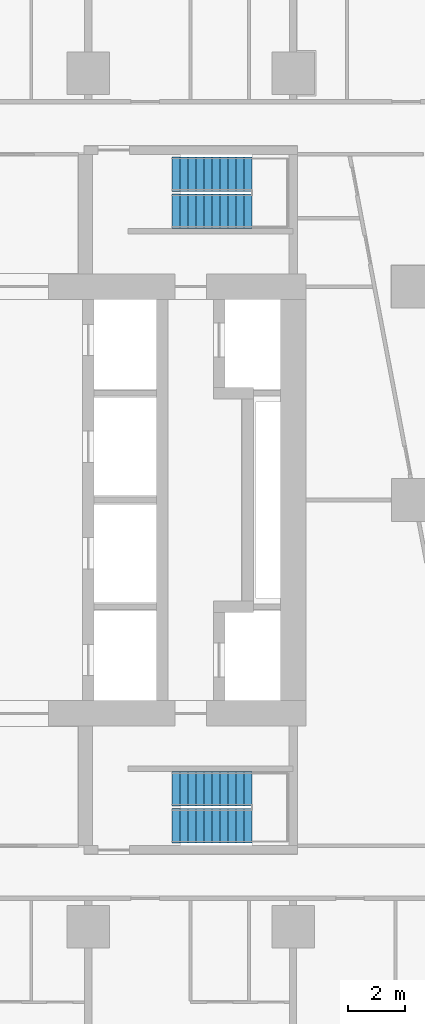
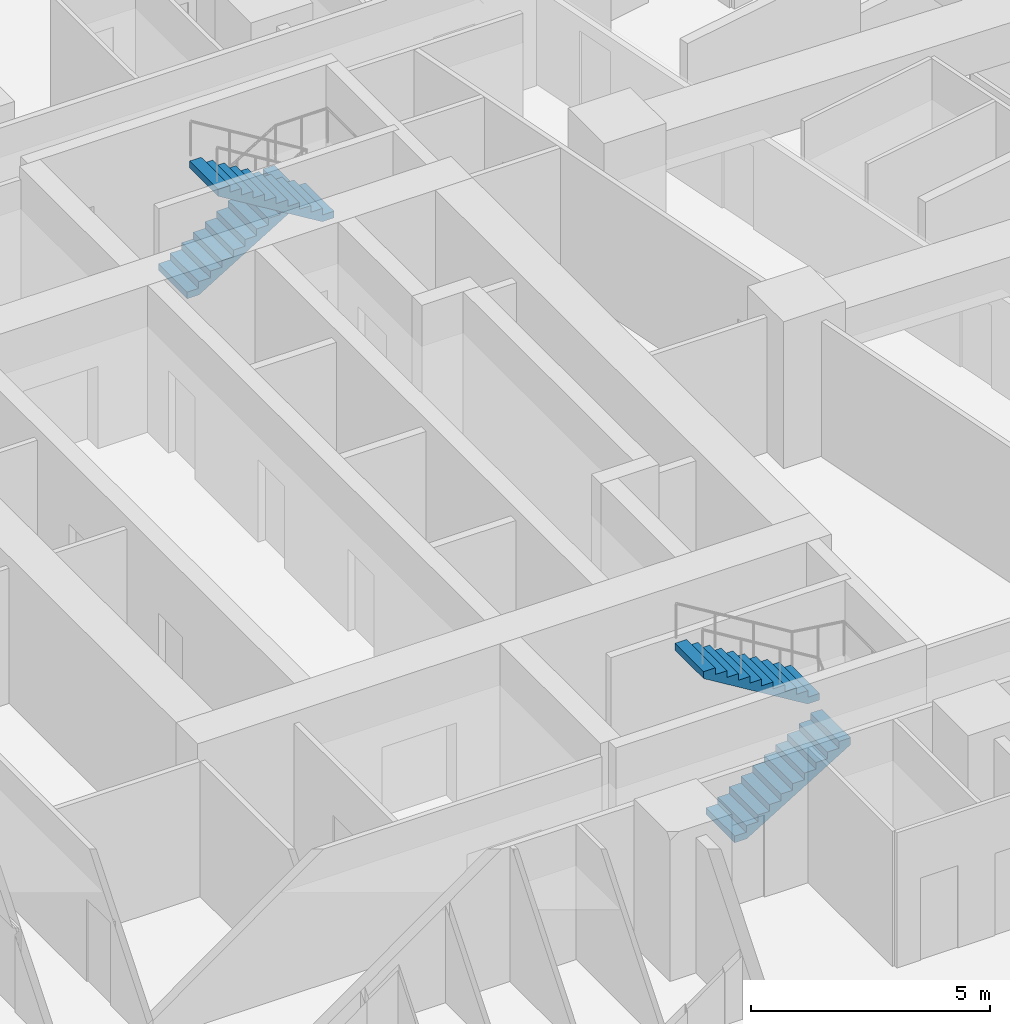
# One storey, part 13 of 15: 4 stair flights, 2 elements without a shape of their own.
"""IFC4 building model written with IfcOpenShell, lengths in metres."""

from ifc_helpers import new_model, si_unit, direction, frame, origin, place, context, subcontext, project, spatial, triangles, material, type_object, element, aggregate, save


model = new_model("IFC4")

# Units and contexts
model_context = context("Model", 3, precision=1e-05, world=origin(), true_north=direction((0.0, 1.0)))
body_context = subcontext(model_context, "Body", "Model", "MODEL_VIEW")
ifc_project = project(units=[si_unit("LENGTHUNIT", "METRE"), si_unit("AREAUNIT", "SQUARE_METRE"), si_unit("VOLUMEUNIT", "CUBIC_METRE"), si_unit("PLANEANGLEUNIT", "RADIAN"), si_unit("MASSUNIT", "GRAM", prefix="KILO")], contexts=[model_context])

# Site, building, storey
site_placement = place(None, origin())
site = spatial("IfcSite", under=ifc_project, at=site_placement, CompositionType="ELEMENT")
building_placement = place(site_placement, origin())
building = spatial("IfcBuilding", under=site, at=building_placement, Name="Sheger Commons Tower", CompositionType="ELEMENT")
storey_placement = place(building_placement, frame((0.0, 0.0, 184.550048828125)))
storey = spatial("IfcBuildingStorey", under=building, at=storey_placement, Name="L47", CompositionType="ELEMENT", Elevation=184.550048828125)

# Stair, stair flights
ifc_material_1 = material(Name="Concrete C35/45", Category="concrete")
stair_type = type_object("IfcStairType", Name="HALF-TURN STAIR 1200 RISE 3750", PredefinedType="HALF_TURN_STAIR", material=ifc_material_1)
stair_1_placement = place(storey_placement, origin())
stair_1 = element("IfcStair", 1, at=stair_1_placement, inside=storey, type_object=stair_type, Name="Stair S1 L47", PredefinedType="HALF_TURN_STAIR")
ifc_material_2 = material(Name="Concrete C35/45", Category="concrete")
stair_flight_type = type_object("IfcStairFlightType", Name="STAIR FLIGHT 1200 11 RISERS OF 170", PredefinedType="STRAIGHT", material=ifc_material_2)
stair_flight_1_placement = place(storey_placement, frame((24.550048828125, 11.050048828125, 0.0), z_axis=(0.0, 0.0, 1.0), x_axis=(1.0, 0.0, 0.0)))
stair_flight_1 = element("IfcStairFlight", 2, at=stair_flight_1_placement, type_object=stair_flight_type, Name="S1 flight 1", NumberOfRisers=11, NumberOfTreads=10, PredefinedType="STRAIGHT", RiserHeight=0.170454545, TreadLength=0.28, context=body_context, shape_type="Tessellation", body=[
    triangles([(0.0, 0.5999755859375, 0.0), (0.0, 0.5999755859375, 0.17041015625), (0.280029296875, 0.5999755859375, 0.17041015625), (0.280029296875, 0.5999755859375, 0.3408203125), (0.56005859375, 0.5999755859375, 0.3408203125), (0.56005859375, 0.5999755859375, 0.511474609375), (0.840087890625, 0.5999755859375, 0.511474609375), (0.840087890625, 0.5999755859375, 0.681884765625), (1.1201171875, 0.5999755859375, 0.681884765625), (1.1201171875, 0.5999755859375, 0.852294921875), (1.39990234375, 0.5999755859375, 0.852294921875), (1.39990234375, 0.5999755859375, 1.022705078125), (1.679931640625, 0.5999755859375, 1.022705078125), (1.679931640625, 0.5999755859375, 1.193115234375), (1.9599609375, 0.5999755859375, 1.193115234375), (1.9599609375, 0.5999755859375, 1.363525390625), (2.239990234375, 0.5999755859375, 1.363525390625), (2.239990234375, 0.5999755859375, 1.5341796875), (2.52001953125, 0.5999755859375, 1.5341796875), (2.52001953125, 0.5999755859375, 1.70458984375), (2.800048828125, 0.5999755859375, 1.70458984375), (2.800048828125, 0.5999755859375, 1.529052734375), (0.288330078125, 0.5999755859375, 0.0), (0.0, -0.5999755859375, 0.0), (0.0, -0.5999755859375, 0.17041015625), (0.280029296875, -0.5999755859375, 0.17041015625), (0.280029296875, -0.5999755859375, 0.3408203125), (0.56005859375, -0.5999755859375, 0.3408203125), (0.56005859375, -0.5999755859375, 0.511474609375), (0.840087890625, -0.5999755859375, 0.511474609375), (0.840087890625, -0.5999755859375, 0.681884765625), (1.1201171875, -0.5999755859375, 0.681884765625), (1.1201171875, -0.5999755859375, 0.852294921875), (1.39990234375, -0.5999755859375, 0.852294921875), (1.39990234375, -0.5999755859375, 1.022705078125), (1.679931640625, -0.5999755859375, 1.022705078125), (1.679931640625, -0.5999755859375, 1.193115234375), (1.9599609375, -0.5999755859375, 1.193115234375), (1.9599609375, -0.5999755859375, 1.363525390625), (2.239990234375, -0.5999755859375, 1.363525390625), (2.239990234375, -0.5999755859375, 1.5341796875), (2.52001953125, -0.5999755859375, 1.5341796875), (2.52001953125, -0.5999755859375, 1.70458984375), (2.800048828125, -0.5999755859375, 1.70458984375), (2.800048828125, -0.5999755859375, 1.529052734375), (0.288330078125, -0.5999755859375, 0.0), (0.0, 0.0, 0.085205078125), (0.1400146484375, 0.0, 0.17041015625), (0.280029296875, 0.0, 0.255615234375), (0.4200439453125, 0.0, 0.3408203125), (0.56005859375, 0.0, 0.4261474609375), (0.7000732421875, 0.0, 0.511474609375), (0.840087890625, 0.0, 0.5966796875), (0.9801025390625, 0.0, 0.681884765625), (1.1201171875, 0.0, 0.76708984375), (1.260009765625, 0.0, 0.852294921875), (1.39990234375, 0.0, 0.9375), (1.5399169921875, 0.0, 1.022705078125), (1.679931640625, 0.0, 1.10791015625), (1.8199462890625, 0.0, 1.193115234375), (1.9599609375, 0.0, 1.2783203125), (2.0999755859375, 0.0, 1.363525390625), (2.239990234375, 0.0, 1.4488525390625), (2.3800048828125, 0.0, 1.5341796875), (2.52001953125, 0.0, 1.619384765625), (2.6600341796875, 0.0, 1.70458984375), (2.800048828125, 0.0, 1.6168212890625), (1.544189453125, 0.0, 0.7645263671875), (0.1441650390625, 0.0, 0.0)], [[1, 22, 23], [24, 46, 45], [22, 20, 21], [45, 44, 43], [22, 19, 20], [45, 43, 42], [22, 18, 19], [45, 42, 41], [22, 17, 18], [45, 41, 40], [17, 15, 16], [40, 39, 38], [22, 15, 17], [45, 40, 38], [15, 13, 14], [38, 37, 36], [22, 13, 15], [45, 38, 36], [13, 11, 12], [36, 35, 34], [22, 11, 13], [45, 36, 34], [11, 9, 10], [34, 33, 32], [22, 9, 11], [45, 34, 32], [9, 7, 8], [32, 31, 30], [22, 7, 9], [45, 32, 30], [7, 5, 6], [30, 29, 28], [22, 5, 7], [45, 30, 28], [5, 3, 4], [28, 27, 26], [22, 3, 5], [45, 28, 26], [1, 3, 22], [24, 45, 26], [3, 1, 2], [26, 25, 24], [1, 47, 2], [2, 47, 25], [25, 47, 24], [24, 47, 1], [2, 48, 3], [3, 48, 26], [26, 48, 25], [25, 48, 2], [3, 49, 4], [4, 49, 27], [27, 49, 26], [26, 49, 3], [4, 50, 5], [5, 50, 28], [28, 50, 27], [27, 50, 4], [5, 51, 6], [6, 51, 29], [29, 51, 28], [28, 51, 5], [6, 52, 7], [7, 52, 30], [30, 52, 29], [29, 52, 6], [7, 53, 8], [8, 53, 31], [31, 53, 30], [30, 53, 7], [8, 54, 9], [9, 54, 32], [32, 54, 31], [31, 54, 8], [9, 55, 10], [10, 55, 33], [33, 55, 32], [32, 55, 9], [10, 56, 11], [11, 56, 34], [34, 56, 33], [33, 56, 10], [11, 57, 12], [12, 57, 35], [35, 57, 34], [34, 57, 11], [12, 58, 13], [13, 58, 36], [36, 58, 35], [35, 58, 12], [13, 59, 14], [14, 59, 37], [37, 59, 36], [36, 59, 13], [14, 60, 15], [15, 60, 38], [38, 60, 37], [37, 60, 14], [15, 61, 16], [16, 61, 39], [39, 61, 38], [38, 61, 15], [16, 62, 17], [17, 62, 40], [40, 62, 39], [39, 62, 16], [17, 63, 18], [18, 63, 41], [41, 63, 40], [40, 63, 17], [18, 64, 19], [19, 64, 42], [42, 64, 41], [41, 64, 18], [19, 65, 20], [20, 65, 43], [43, 65, 42], [42, 65, 19], [20, 66, 21], [21, 66, 44], [44, 66, 43], [43, 66, 20], [21, 67, 22], [22, 67, 45], [45, 67, 44], [44, 67, 21], [22, 68, 23], [23, 68, 46], [46, 68, 45], [45, 68, 22], [23, 69, 1], [1, 69, 24], [24, 69, 46], [46, 69, 23]], closed=True),
])
stair_flight_2_placement = place(storey_placement, frame((27.35009765625, 12.35009765625, 1.875), z_axis=(0.0, 0.0, 1.0), x_axis=(-1.0, 0.0, 0.0)))
stair_flight_2 = element("IfcStairFlight", 3, at=stair_flight_2_placement, type_object=stair_flight_type, Name="S1 flight 2", NumberOfRisers=11, NumberOfTreads=10, PredefinedType="STRAIGHT", RiserHeight=0.170454545, TreadLength=0.28, context=body_context, shape_type="Tessellation", body=[
    triangles([(0.0, 0.5999755859375, 0.0), (0.0, 0.5999755859375, 0.17041015625), (0.280029296875, 0.5999755859375, 0.17041015625), (0.280029296875, 0.5999755859375, 0.3408203125), (0.56005859375, 0.5999755859375, 0.3408203125), (0.56005859375, 0.5999755859375, 0.511474609375), (0.840087890625, 0.5999755859375, 0.511474609375), (0.840087890625, 0.5999755859375, 0.681884765625), (1.1201171875, 0.5999755859375, 0.681884765625), (1.1201171875, 0.5999755859375, 0.852294921875), (1.39990234375, 0.5999755859375, 0.852294921875), (1.39990234375, 0.5999755859375, 1.022705078125), (1.679931640625, 0.5999755859375, 1.022705078125), (1.679931640625, 0.5999755859375, 1.193115234375), (1.9599609375, 0.5999755859375, 1.193115234375), (1.9599609375, 0.5999755859375, 1.363525390625), (2.239990234375, 0.5999755859375, 1.363525390625), (2.239990234375, 0.5999755859375, 1.5341796875), (2.52001953125, 0.5999755859375, 1.5341796875), (2.52001953125, 0.5999755859375, 1.70458984375), (2.800048828125, 0.5999755859375, 1.70458984375), (2.800048828125, 0.5999755859375, 1.529052734375), (0.288330078125, 0.5999755859375, 0.0), (0.0, -0.5999755859375, 0.0), (0.0, -0.5999755859375, 0.17041015625), (0.280029296875, -0.5999755859375, 0.17041015625), (0.280029296875, -0.5999755859375, 0.3408203125), (0.56005859375, -0.5999755859375, 0.3408203125), (0.56005859375, -0.5999755859375, 0.511474609375), (0.840087890625, -0.5999755859375, 0.511474609375), (0.840087890625, -0.5999755859375, 0.681884765625), (1.1201171875, -0.5999755859375, 0.681884765625), (1.1201171875, -0.5999755859375, 0.852294921875), (1.39990234375, -0.5999755859375, 0.852294921875), (1.39990234375, -0.5999755859375, 1.022705078125), (1.679931640625, -0.5999755859375, 1.022705078125), (1.679931640625, -0.5999755859375, 1.193115234375), (1.9599609375, -0.5999755859375, 1.193115234375), (1.9599609375, -0.5999755859375, 1.363525390625), (2.239990234375, -0.5999755859375, 1.363525390625), (2.239990234375, -0.5999755859375, 1.5341796875), (2.52001953125, -0.5999755859375, 1.5341796875), (2.52001953125, -0.5999755859375, 1.70458984375), (2.800048828125, -0.5999755859375, 1.70458984375), (2.800048828125, -0.5999755859375, 1.529052734375), (0.288330078125, -0.5999755859375, 0.0), (0.0, 0.0, 0.085205078125), (0.1400146484375, 0.0, 0.17041015625), (0.280029296875, 0.0, 0.255615234375), (0.4200439453125, 0.0, 0.3408203125), (0.56005859375, 0.0, 0.4261474609375), (0.7000732421875, 0.0, 0.511474609375), (0.840087890625, 0.0, 0.5966796875), (0.9801025390625, 0.0, 0.681884765625), (1.1201171875, 0.0, 0.76708984375), (1.260009765625, 0.0, 0.852294921875), (1.39990234375, 0.0, 0.9375), (1.5399169921875, 0.0, 1.022705078125), (1.679931640625, 0.0, 1.10791015625), (1.8199462890625, 0.0, 1.193115234375), (1.9599609375, 0.0, 1.2783203125), (2.0999755859375, 0.0, 1.363525390625), (2.239990234375, 0.0, 1.4488525390625), (2.3800048828125, 0.0, 1.5341796875), (2.52001953125, 0.0, 1.619384765625), (2.6600341796875, 0.0, 1.70458984375), (2.800048828125, 0.0, 1.6168212890625), (1.544189453125, 0.0, 0.7645263671875), (0.1441650390625, 0.0, 0.0)], [[1, 22, 23], [24, 46, 45], [22, 20, 21], [45, 44, 43], [22, 19, 20], [45, 43, 42], [22, 18, 19], [45, 42, 41], [22, 17, 18], [45, 41, 40], [17, 15, 16], [40, 39, 38], [22, 15, 17], [45, 40, 38], [15, 13, 14], [38, 37, 36], [22, 13, 15], [45, 38, 36], [13, 11, 12], [36, 35, 34], [22, 11, 13], [45, 36, 34], [11, 9, 10], [34, 33, 32], [22, 9, 11], [45, 34, 32], [9, 7, 8], [32, 31, 30], [22, 7, 9], [45, 32, 30], [7, 5, 6], [30, 29, 28], [22, 5, 7], [45, 30, 28], [5, 3, 4], [28, 27, 26], [22, 3, 5], [45, 28, 26], [1, 3, 22], [24, 45, 26], [3, 1, 2], [26, 25, 24], [1, 47, 2], [2, 47, 25], [25, 47, 24], [24, 47, 1], [2, 48, 3], [3, 48, 26], [26, 48, 25], [25, 48, 2], [3, 49, 4], [4, 49, 27], [27, 49, 26], [26, 49, 3], [4, 50, 5], [5, 50, 28], [28, 50, 27], [27, 50, 4], [5, 51, 6], [6, 51, 29], [29, 51, 28], [28, 51, 5], [6, 52, 7], [7, 52, 30], [30, 52, 29], [29, 52, 6], [7, 53, 8], [8, 53, 31], [31, 53, 30], [30, 53, 7], [8, 54, 9], [9, 54, 32], [32, 54, 31], [31, 54, 8], [9, 55, 10], [10, 55, 33], [33, 55, 32], [32, 55, 9], [10, 56, 11], [11, 56, 34], [34, 56, 33], [33, 56, 10], [11, 57, 12], [12, 57, 35], [35, 57, 34], [34, 57, 11], [12, 58, 13], [13, 58, 36], [36, 58, 35], [35, 58, 12], [13, 59, 14], [14, 59, 37], [37, 59, 36], [36, 59, 13], [14, 60, 15], [15, 60, 38], [38, 60, 37], [37, 60, 14], [15, 61, 16], [16, 61, 39], [39, 61, 38], [38, 61, 15], [16, 62, 17], [17, 62, 40], [40, 62, 39], [39, 62, 16], [17, 63, 18], [18, 63, 41], [41, 63, 40], [40, 63, 17], [18, 64, 19], [19, 64, 42], [42, 64, 41], [41, 64, 18], [19, 65, 20], [20, 65, 43], [43, 65, 42], [42, 65, 19], [20, 66, 21], [21, 66, 44], [44, 66, 43], [43, 66, 20], [21, 67, 22], [22, 67, 45], [45, 67, 44], [44, 67, 21], [22, 68, 23], [23, 68, 46], [46, 68, 45], [45, 68, 22], [23, 69, 1], [1, 69, 24], [24, 69, 46], [46, 69, 23]], closed=True),
])
aggregate(stair_1, [stair_flight_1, stair_flight_2])

stair_2_placement = place(storey_placement, origin())
stair_2 = element("IfcStair", 4, at=stair_2_placement, inside=storey, type_object=stair_type, Name="Stair S2 L47", PredefinedType="HALF_TURN_STAIR")
stair_flight_3_placement = place(storey_placement, frame((24.550048828125, 33.949951171875, 0.0), z_axis=(0.0, 0.0, 1.0), x_axis=(1.0, 0.0, 0.0)))
stair_flight_3 = element("IfcStairFlight", 5, at=stair_flight_3_placement, type_object=stair_flight_type, Name="S2 flight 1", NumberOfRisers=11, NumberOfTreads=10, PredefinedType="STRAIGHT", RiserHeight=0.170454545, TreadLength=0.28, context=body_context, shape_type="Tessellation", body=[
    triangles([(0.0, 0.5999755859375, 0.0), (0.0, 0.5999755859375, 0.17041015625), (0.280029296875, 0.5999755859375, 0.17041015625), (0.280029296875, 0.5999755859375, 0.3408203125), (0.56005859375, 0.5999755859375, 0.3408203125), (0.56005859375, 0.5999755859375, 0.511474609375), (0.840087890625, 0.5999755859375, 0.511474609375), (0.840087890625, 0.5999755859375, 0.681884765625), (1.1201171875, 0.5999755859375, 0.681884765625), (1.1201171875, 0.5999755859375, 0.852294921875), (1.39990234375, 0.5999755859375, 0.852294921875), (1.39990234375, 0.5999755859375, 1.022705078125), (1.679931640625, 0.5999755859375, 1.022705078125), (1.679931640625, 0.5999755859375, 1.193115234375), (1.9599609375, 0.5999755859375, 1.193115234375), (1.9599609375, 0.5999755859375, 1.363525390625), (2.239990234375, 0.5999755859375, 1.363525390625), (2.239990234375, 0.5999755859375, 1.5341796875), (2.52001953125, 0.5999755859375, 1.5341796875), (2.52001953125, 0.5999755859375, 1.70458984375), (2.800048828125, 0.5999755859375, 1.70458984375), (2.800048828125, 0.5999755859375, 1.529052734375), (0.288330078125, 0.5999755859375, 0.0), (0.0, -0.5999755859375, 0.0), (0.0, -0.5999755859375, 0.17041015625), (0.280029296875, -0.5999755859375, 0.17041015625), (0.280029296875, -0.5999755859375, 0.3408203125), (0.56005859375, -0.5999755859375, 0.3408203125), (0.56005859375, -0.5999755859375, 0.511474609375), (0.840087890625, -0.5999755859375, 0.511474609375), (0.840087890625, -0.5999755859375, 0.681884765625), (1.1201171875, -0.5999755859375, 0.681884765625), (1.1201171875, -0.5999755859375, 0.852294921875), (1.39990234375, -0.5999755859375, 0.852294921875), (1.39990234375, -0.5999755859375, 1.022705078125), (1.679931640625, -0.5999755859375, 1.022705078125), (1.679931640625, -0.5999755859375, 1.193115234375), (1.9599609375, -0.5999755859375, 1.193115234375), (1.9599609375, -0.5999755859375, 1.363525390625), (2.239990234375, -0.5999755859375, 1.363525390625), (2.239990234375, -0.5999755859375, 1.5341796875), (2.52001953125, -0.5999755859375, 1.5341796875), (2.52001953125, -0.5999755859375, 1.70458984375), (2.800048828125, -0.5999755859375, 1.70458984375), (2.800048828125, -0.5999755859375, 1.529052734375), (0.288330078125, -0.5999755859375, 0.0), (0.0, 0.0, 0.085205078125), (0.1400146484375, 0.0, 0.17041015625), (0.280029296875, 0.0, 0.255615234375), (0.4200439453125, 0.0, 0.3408203125), (0.56005859375, 0.0, 0.4261474609375), (0.7000732421875, 0.0, 0.511474609375), (0.840087890625, 0.0, 0.5966796875), (0.9801025390625, 0.0, 0.681884765625), (1.1201171875, 0.0, 0.76708984375), (1.260009765625, 0.0, 0.852294921875), (1.39990234375, 0.0, 0.9375), (1.5399169921875, 0.0, 1.022705078125), (1.679931640625, 0.0, 1.10791015625), (1.8199462890625, 0.0, 1.193115234375), (1.9599609375, 0.0, 1.2783203125), (2.0999755859375, 0.0, 1.363525390625), (2.239990234375, 0.0, 1.4488525390625), (2.3800048828125, 0.0, 1.5341796875), (2.52001953125, 0.0, 1.619384765625), (2.6600341796875, 0.0, 1.70458984375), (2.800048828125, 0.0, 1.6168212890625), (1.544189453125, 0.0, 0.7645263671875), (0.1441650390625, 0.0, 0.0)], [[1, 22, 23], [24, 46, 45], [22, 20, 21], [45, 44, 43], [22, 19, 20], [45, 43, 42], [22, 18, 19], [45, 42, 41], [22, 17, 18], [45, 41, 40], [17, 15, 16], [40, 39, 38], [22, 15, 17], [45, 40, 38], [15, 13, 14], [38, 37, 36], [22, 13, 15], [45, 38, 36], [13, 11, 12], [36, 35, 34], [22, 11, 13], [45, 36, 34], [11, 9, 10], [34, 33, 32], [22, 9, 11], [45, 34, 32], [9, 7, 8], [32, 31, 30], [22, 7, 9], [45, 32, 30], [7, 5, 6], [30, 29, 28], [22, 5, 7], [45, 30, 28], [5, 3, 4], [28, 27, 26], [22, 3, 5], [45, 28, 26], [1, 3, 22], [24, 45, 26], [3, 1, 2], [26, 25, 24], [1, 47, 2], [2, 47, 25], [25, 47, 24], [24, 47, 1], [2, 48, 3], [3, 48, 26], [26, 48, 25], [25, 48, 2], [3, 49, 4], [4, 49, 27], [27, 49, 26], [26, 49, 3], [4, 50, 5], [5, 50, 28], [28, 50, 27], [27, 50, 4], [5, 51, 6], [6, 51, 29], [29, 51, 28], [28, 51, 5], [6, 52, 7], [7, 52, 30], [30, 52, 29], [29, 52, 6], [7, 53, 8], [8, 53, 31], [31, 53, 30], [30, 53, 7], [8, 54, 9], [9, 54, 32], [32, 54, 31], [31, 54, 8], [9, 55, 10], [10, 55, 33], [33, 55, 32], [32, 55, 9], [10, 56, 11], [11, 56, 34], [34, 56, 33], [33, 56, 10], [11, 57, 12], [12, 57, 35], [35, 57, 34], [34, 57, 11], [12, 58, 13], [13, 58, 36], [36, 58, 35], [35, 58, 12], [13, 59, 14], [14, 59, 37], [37, 59, 36], [36, 59, 13], [14, 60, 15], [15, 60, 38], [38, 60, 37], [37, 60, 14], [15, 61, 16], [16, 61, 39], [39, 61, 38], [38, 61, 15], [16, 62, 17], [17, 62, 40], [40, 62, 39], [39, 62, 16], [17, 63, 18], [18, 63, 41], [41, 63, 40], [40, 63, 17], [18, 64, 19], [19, 64, 42], [42, 64, 41], [41, 64, 18], [19, 65, 20], [20, 65, 43], [43, 65, 42], [42, 65, 19], [20, 66, 21], [21, 66, 44], [44, 66, 43], [43, 66, 20], [21, 67, 22], [22, 67, 45], [45, 67, 44], [44, 67, 21], [22, 68, 23], [23, 68, 46], [46, 68, 45], [45, 68, 22], [23, 69, 1], [1, 69, 24], [24, 69, 46], [46, 69, 23]], closed=True),
])
stair_flight_4_placement = place(storey_placement, frame((27.35009765625, 32.64990234375, 1.875), z_axis=(0.0, 0.0, 1.0), x_axis=(-1.0, 0.0, 0.0)))
stair_flight_4 = element("IfcStairFlight", 6, at=stair_flight_4_placement, type_object=stair_flight_type, Name="S2 flight 2", NumberOfRisers=11, NumberOfTreads=10, PredefinedType="STRAIGHT", RiserHeight=0.170454545, TreadLength=0.28, context=body_context, shape_type="Tessellation", body=[
    triangles([(0.0, 0.5999755859375, 0.0), (0.0, 0.5999755859375, 0.17041015625), (0.280029296875, 0.5999755859375, 0.17041015625), (0.280029296875, 0.5999755859375, 0.3408203125), (0.56005859375, 0.5999755859375, 0.3408203125), (0.56005859375, 0.5999755859375, 0.511474609375), (0.840087890625, 0.5999755859375, 0.511474609375), (0.840087890625, 0.5999755859375, 0.681884765625), (1.1201171875, 0.5999755859375, 0.681884765625), (1.1201171875, 0.5999755859375, 0.852294921875), (1.39990234375, 0.5999755859375, 0.852294921875), (1.39990234375, 0.5999755859375, 1.022705078125), (1.679931640625, 0.5999755859375, 1.022705078125), (1.679931640625, 0.5999755859375, 1.193115234375), (1.9599609375, 0.5999755859375, 1.193115234375), (1.9599609375, 0.5999755859375, 1.363525390625), (2.239990234375, 0.5999755859375, 1.363525390625), (2.239990234375, 0.5999755859375, 1.5341796875), (2.52001953125, 0.5999755859375, 1.5341796875), (2.52001953125, 0.5999755859375, 1.70458984375), (2.800048828125, 0.5999755859375, 1.70458984375), (2.800048828125, 0.5999755859375, 1.529052734375), (0.288330078125, 0.5999755859375, 0.0), (0.0, -0.5999755859375, 0.0), (0.0, -0.5999755859375, 0.17041015625), (0.280029296875, -0.5999755859375, 0.17041015625), (0.280029296875, -0.5999755859375, 0.3408203125), (0.56005859375, -0.5999755859375, 0.3408203125), (0.56005859375, -0.5999755859375, 0.511474609375), (0.840087890625, -0.5999755859375, 0.511474609375), (0.840087890625, -0.5999755859375, 0.681884765625), (1.1201171875, -0.5999755859375, 0.681884765625), (1.1201171875, -0.5999755859375, 0.852294921875), (1.39990234375, -0.5999755859375, 0.852294921875), (1.39990234375, -0.5999755859375, 1.022705078125), (1.679931640625, -0.5999755859375, 1.022705078125), (1.679931640625, -0.5999755859375, 1.193115234375), (1.9599609375, -0.5999755859375, 1.193115234375), (1.9599609375, -0.5999755859375, 1.363525390625), (2.239990234375, -0.5999755859375, 1.363525390625), (2.239990234375, -0.5999755859375, 1.5341796875), (2.52001953125, -0.5999755859375, 1.5341796875), (2.52001953125, -0.5999755859375, 1.70458984375), (2.800048828125, -0.5999755859375, 1.70458984375), (2.800048828125, -0.5999755859375, 1.529052734375), (0.288330078125, -0.5999755859375, 0.0), (0.0, 0.0, 0.085205078125), (0.1400146484375, 0.0, 0.17041015625), (0.280029296875, 0.0, 0.255615234375), (0.4200439453125, 0.0, 0.3408203125), (0.56005859375, 0.0, 0.4261474609375), (0.7000732421875, 0.0, 0.511474609375), (0.840087890625, 0.0, 0.5966796875), (0.9801025390625, 0.0, 0.681884765625), (1.1201171875, 0.0, 0.76708984375), (1.260009765625, 0.0, 0.852294921875), (1.39990234375, 0.0, 0.9375), (1.5399169921875, 0.0, 1.022705078125), (1.679931640625, 0.0, 1.10791015625), (1.8199462890625, 0.0, 1.193115234375), (1.9599609375, 0.0, 1.2783203125), (2.0999755859375, 0.0, 1.363525390625), (2.239990234375, 0.0, 1.4488525390625), (2.3800048828125, 0.0, 1.5341796875), (2.52001953125, 0.0, 1.619384765625), (2.6600341796875, 0.0, 1.70458984375), (2.800048828125, 0.0, 1.6168212890625), (1.544189453125, 0.0, 0.7645263671875), (0.1441650390625, 0.0, 0.0)], [[1, 22, 23], [24, 46, 45], [22, 20, 21], [45, 44, 43], [22, 19, 20], [45, 43, 42], [22, 18, 19], [45, 42, 41], [22, 17, 18], [45, 41, 40], [17, 15, 16], [40, 39, 38], [22, 15, 17], [45, 40, 38], [15, 13, 14], [38, 37, 36], [22, 13, 15], [45, 38, 36], [13, 11, 12], [36, 35, 34], [22, 11, 13], [45, 36, 34], [11, 9, 10], [34, 33, 32], [22, 9, 11], [45, 34, 32], [9, 7, 8], [32, 31, 30], [22, 7, 9], [45, 32, 30], [7, 5, 6], [30, 29, 28], [22, 5, 7], [45, 30, 28], [5, 3, 4], [28, 27, 26], [22, 3, 5], [45, 28, 26], [1, 3, 22], [24, 45, 26], [3, 1, 2], [26, 25, 24], [1, 47, 2], [2, 47, 25], [25, 47, 24], [24, 47, 1], [2, 48, 3], [3, 48, 26], [26, 48, 25], [25, 48, 2], [3, 49, 4], [4, 49, 27], [27, 49, 26], [26, 49, 3], [4, 50, 5], [5, 50, 28], [28, 50, 27], [27, 50, 4], [5, 51, 6], [6, 51, 29], [29, 51, 28], [28, 51, 5], [6, 52, 7], [7, 52, 30], [30, 52, 29], [29, 52, 6], [7, 53, 8], [8, 53, 31], [31, 53, 30], [30, 53, 7], [8, 54, 9], [9, 54, 32], [32, 54, 31], [31, 54, 8], [9, 55, 10], [10, 55, 33], [33, 55, 32], [32, 55, 9], [10, 56, 11], [11, 56, 34], [34, 56, 33], [33, 56, 10], [11, 57, 12], [12, 57, 35], [35, 57, 34], [34, 57, 11], [12, 58, 13], [13, 58, 36], [36, 58, 35], [35, 58, 12], [13, 59, 14], [14, 59, 37], [37, 59, 36], [36, 59, 13], [14, 60, 15], [15, 60, 38], [38, 60, 37], [37, 60, 14], [15, 61, 16], [16, 61, 39], [39, 61, 38], [38, 61, 15], [16, 62, 17], [17, 62, 40], [40, 62, 39], [39, 62, 16], [17, 63, 18], [18, 63, 41], [41, 63, 40], [40, 63, 17], [18, 64, 19], [19, 64, 42], [42, 64, 41], [41, 64, 18], [19, 65, 20], [20, 65, 43], [43, 65, 42], [42, 65, 19], [20, 66, 21], [21, 66, 44], [44, 66, 43], [43, 66, 20], [21, 67, 22], [22, 67, 45], [45, 67, 44], [44, 67, 21], [22, 68, 23], [23, 68, 46], [46, 68, 45], [45, 68, 22], [23, 69, 1], [1, 69, 24], [24, 69, 46], [46, 69, 23]], closed=True),
])
aggregate(stair_2, [stair_flight_3, stair_flight_4])

save(model, "model.ifc")
